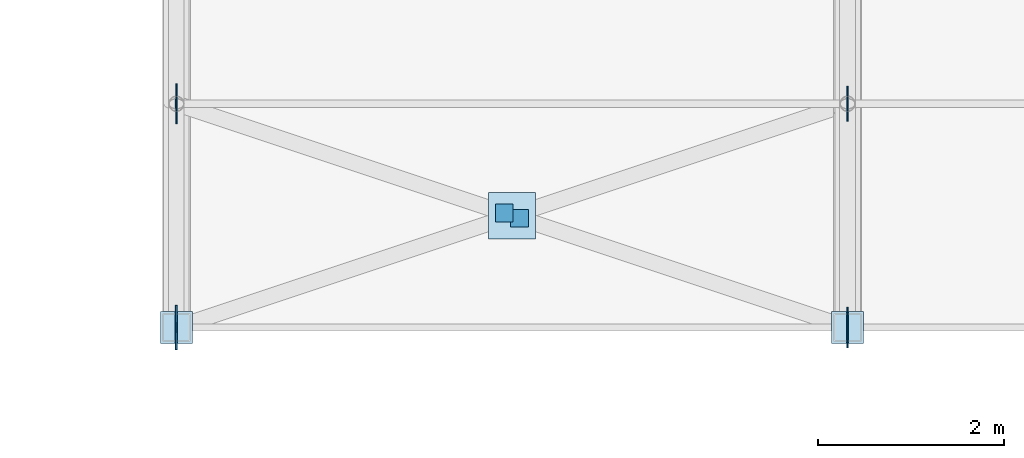
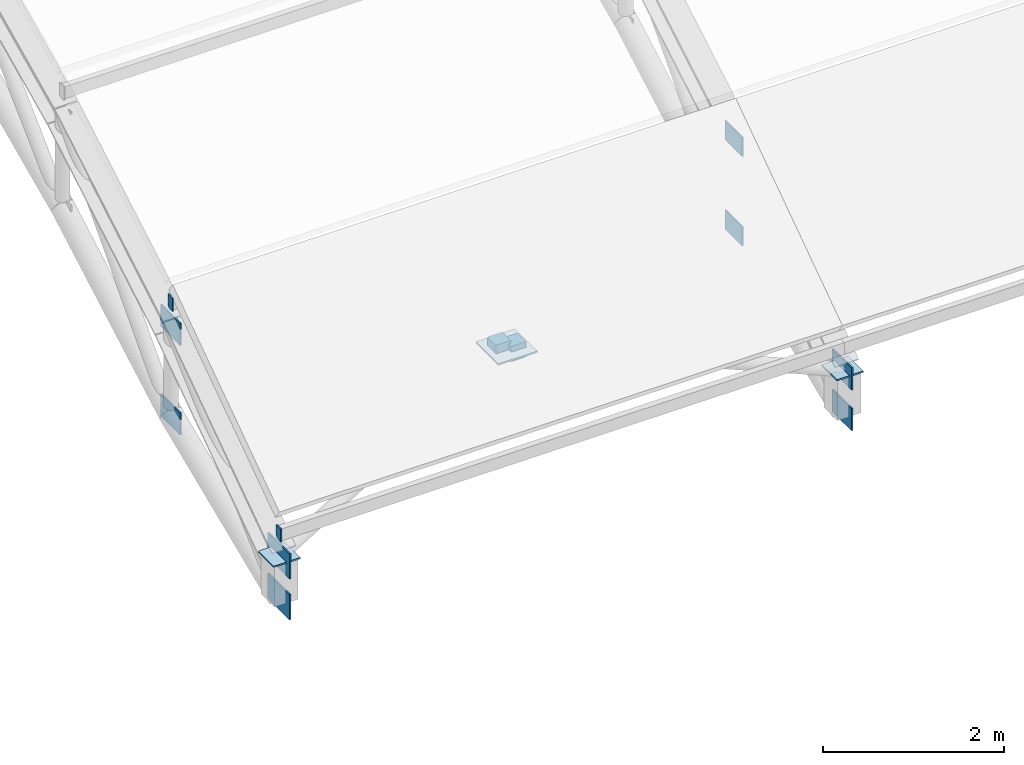
# One storey, part 37 of 63: 15 plates.
"""IFC4 building model written with IfcOpenShell, lengths in metres."""

from ifc_helpers import new_model, si_unit, direction, frame, origin, origin_2d, place, context, subcontext, project, spatial, rectangle, extrude, material, layer, layer_set, type_object, element, save


model = new_model("IFC4")

# Units and contexts
model_context = context("Model", 3, precision=1e-05, world=origin(), true_north=direction((0.0, 1.0)))
body_context = subcontext(model_context, "Body", "Model", "MODEL_VIEW")
ifc_project = project(units=[si_unit("LENGTHUNIT", "METRE"), si_unit("AREAUNIT", "SQUARE_METRE"), si_unit("VOLUMEUNIT", "CUBIC_METRE"), si_unit("PLANEANGLEUNIT", "RADIAN"), si_unit("MASSUNIT", "GRAM", prefix="KILO")], contexts=[model_context])

# Site, building, storey
site_placement = place(None, origin())
site = spatial("IfcSite", under=ifc_project, at=site_placement, CompositionType="ELEMENT")
building_placement = place(site_placement, origin())
building = spatial("IfcBuilding", under=site, at=building_placement, Name="Solvadek Multi-Sports Hall", CompositionType="ELEMENT")
storey_placement = place(building_placement, frame((0.0, 0.0, 19.199951171875)))
storey = spatial("IfcBuildingStorey", under=building, at=storey_placement, Name="RF", CompositionType="ELEMENT", Elevation=19.199951171875)

# Plates
ifc_material = material(Name="Steel E350 (350 MPa)", Category="steel")
ifc_layer_1 = layer(ifc_material, 0.01611328125, Name="Steel E350 (350 MPa)")
ifc_layer_set_1 = layer_set([ifc_layer_1], Name="Steel E350 (350 MPa)")
plate_type_1 = type_object("IfcPlateType", Name="STR-PLT-CAP16", PredefinedType="USERDEFINED", material=ifc_layer_set_1)
for number, where, z_axis, x_axis, name in (
    (1, (21.595947265625, 49.199951171875, -4.03662109375), (0.0, 0.0, 1.0), (1.0, 0.0, 0.0), "V4 Purlin End Cap Plate #31"),
    (2, (21.595947265625, 51.60009765625, -2.37109375), (0.0, 0.0, 1.0), (1.0, 0.0, 0.0), "V4 Purlin End Cap Plate #32"),
):
    element("IfcPlate", number, at=place(storey_placement, frame(where, z_axis=z_axis, x_axis=x_axis)), inside=storey, type_object=plate_type_1, Name=name, ObjectType="BASE_PLATE", PredefinedType="USERDEFINED", context=body_context, shape_type="SweptSolid", body=[
        extrude(rectangle(XDim=0.01611328125, YDim=0.10009765625, at=origin_2d()), origin(), (0.0, 0.0, 1.0), 0.179931640625),
    ])
for number, where, z_axis, x_axis, name in (
    (3, (25.118408203125, 50.42724609375, -3.50341796875), (0.0, 0.0, 1.0), (1.0, 0.0, 0.0), "V4 Half-Brace End Cap #40"),
    (4, (25.281494140625, 50.372802734375, -3.541015625), (0.0, 0.0, 1.0), (1.0, 0.0, 0.0), "V4 Half-Brace End Cap #41"),
):
    element("IfcPlate", number, at=place(storey_placement, frame(where, z_axis=z_axis, x_axis=x_axis)), inside=storey, type_object=plate_type_1, Name=name, ObjectType="BASE_PLATE", PredefinedType="USERDEFINED", context=body_context, shape_type="SweptSolid", body=[
        extrude(rectangle(XDim=0.18994140625, YDim=0.18994140625, at=origin_2d()), origin(), (0.0, 0.0, 1.0), 0.2099609375),
    ])
ifc_layer_2 = layer(ifc_material, 0.02001953125, Name="Steel E350 (350 MPa)")
ifc_layer_set_2 = layer_set([ifc_layer_2], Name="Steel E350 (350 MPa)")
plate_type_2 = type_object("IfcPlateType", Name="STR-PLT-CAP340", PredefinedType="USERDEFINED", material=ifc_layer_set_2)
for number, where, z_axis, x_axis, name in (
    (5, (21.60009765625, 49.199951171875, -4.25), (0.0, 0.0, 1.0), (1.0, 0.0, 0.0), "v4 Bearing Post Cap #1.0"),
    (6, (28.800048828125, 49.199951171875, -4.25), (0.0, 0.0, 1.0), (1.0, 0.0, 0.0), "v4 Bearing Post Cap #2.0"),
):
    element("IfcPlate", number, at=place(storey_placement, frame(where, z_axis=z_axis, x_axis=x_axis)), inside=storey, type_object=plate_type_2, Name=name, ObjectType="BASE_PLATE", PredefinedType="USERDEFINED", context=body_context, shape_type="SweptSolid", body=[
        extrude(rectangle(XDim=0.340087890625, YDim=0.340087890625, at=origin_2d()), origin(), (0.0, 0.0, 1.0), 0.02001953125),
    ])
ifc_layer_3 = layer(ifc_material, 0.02001953125, Name="Steel E350 (350 MPa)")
ifc_layer_set_3 = layer_set([ifc_layer_3], Name="Steel E350 (350 MPa)")
plate_type_3 = type_object("IfcPlateType", Name="STR-PLT-GP20", PredefinedType="USERDEFINED", material=ifc_layer_set_3)
plate_placement = place(storey_placement, frame((25.199951171875, 50.39990234375, -3.42724609375), z_axis=(0.0, 0.0, 1.0), x_axis=(1.0, 0.0, 0.0)))
element("IfcPlate", 7, at=plate_placement, inside=storey, type_object=plate_type_3, Name="V4 Roof X-Brace Crossing Gusset #259", ObjectType="GUSSET_PLATE", PredefinedType="USERDEFINED", context=body_context, shape_type="SweptSolid", body=[
    extrude(rectangle(XDim=0.5, YDim=0.5, at=origin_2d()), origin(), (0.0, 0.0, 1.0), 0.02001953125),
])
ifc_layer_4 = layer(ifc_material, 0.01611328125, Name="Steel E350 (350 MPa)")
ifc_layer_set_4 = layer_set([ifc_layer_4], Name="Steel E350 (350 MPa)")
plate_type_4 = type_object("IfcPlateType", Name="STR-PLT-GUS380", PredefinedType="USERDEFINED", material=ifc_layer_set_4)
for number, where, z_axis, x_axis, name in (
    (8, (28.800048828125, 51.60009765625, -2.71435546875), (0.0, 0.0, 1.0), (0.0, 1.0, 0.0), "V4 Truss Top Gusset Plate #171"),
    (9, (28.800048828125, 51.60009765625, -3.9228515625), (0.0, 0.0, 1.0), (0.0, 1.0, 0.0), "V4 Truss Bottom Gusset Plate #172"),
):
    element("IfcPlate", number, at=place(storey_placement, frame(where, z_axis=z_axis, x_axis=x_axis)), inside=storey, type_object=plate_type_4, Name=name, ObjectType="GUSSET_PLATE", PredefinedType="USERDEFINED", context=body_context, shape_type="SweptSolid", body=[
        extrude(rectangle(XDim=0.3798828125, YDim=0.01611328125, at=origin_2d()), origin(), (0.0, 0.0, 1.0), 0.260009765625),
    ])
ifc_layer_5 = layer(ifc_material, 0.01806640625, Name="Steel E350 (350 MPa)")
ifc_layer_set_5 = layer_set([ifc_layer_5], Name="Steel E350 (350 MPa)")
plate_type_5 = type_object("IfcPlateType", Name="STR-PLT-GUS430", PredefinedType="USERDEFINED", material=ifc_layer_set_5)
for number, where, z_axis, x_axis, name in (
    (10, (21.60009765625, 51.60009765625, -2.734375), (0.0, 0.0, 1.0), (0.0, 1.0, 0.0), "V4 Truss Top Gusset Plate #153"),
    (11, (21.60009765625, 51.60009765625, -3.94287109375), (0.0, 0.0, 1.0), (0.0, 1.0, 0.0), "V4 Truss Bottom Gusset Plate #154"),
    (12, (28.800048828125, 49.199951171875, -4.39990234375), (0.0, 0.0, 1.0), (0.0, 1.0, 0.0), "V4 Truss Top Gusset Plate #169"),
    (13, (28.800048828125, 49.199951171875, -4.9501953125), (0.0, 0.0, 1.0), (0.0, 1.0, 0.0), "V4 Truss Bottom Gusset Plate #170"),
):
    element("IfcPlate", number, at=place(storey_placement, frame(where, z_axis=z_axis, x_axis=x_axis)), inside=storey, type_object=plate_type_5, Name=name, ObjectType="GUSSET_PLATE", PredefinedType="USERDEFINED", context=body_context, shape_type="SweptSolid", body=[
        extrude(rectangle(XDim=0.429931640625, YDim=0.01806640625, at=origin_2d()), origin(), (0.0, 0.0, 1.0), 0.300048828125),
    ])
ifc_layer_6 = layer(ifc_material, 0.02001953125, Name="Steel E350 (350 MPa)")
ifc_layer_set_6 = layer_set([ifc_layer_6], Name="Steel E350 (350 MPa)")
plate_type_6 = type_object("IfcPlateType", Name="STR-PLT-GUS480", PredefinedType="USERDEFINED", material=ifc_layer_set_6)
for number, where, z_axis, x_axis, name in (
    (14, (21.60009765625, 49.199951171875, -4.419921875), (0.0, 0.0, 1.0), (0.0, 1.0, 0.0), "V4 Truss Top Gusset Plate #151"),
    (15, (21.60009765625, 49.199951171875, -4.97021484375), (0.0, 0.0, 1.0), (0.0, 1.0, 0.0), "V4 Truss Bottom Gusset Plate #152"),
):
    element("IfcPlate", number, at=place(storey_placement, frame(where, z_axis=z_axis, x_axis=x_axis)), inside=storey, type_object=plate_type_6, Name=name, ObjectType="GUSSET_PLATE", PredefinedType="USERDEFINED", context=body_context, shape_type="SweptSolid", body=[
        extrude(rectangle(XDim=0.47998046875, YDim=0.02001953125, at=origin_2d()), origin(), (0.0, 0.0, 1.0), 0.340087890625),
    ])

save(model, "model.ifc")
